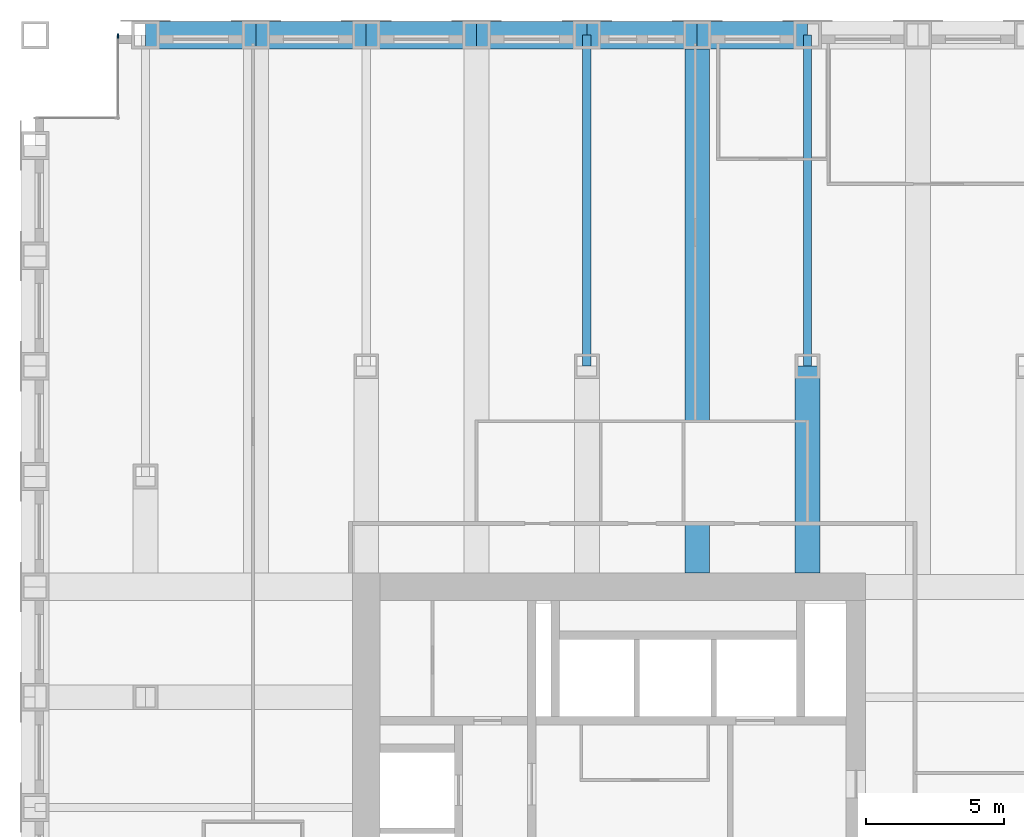
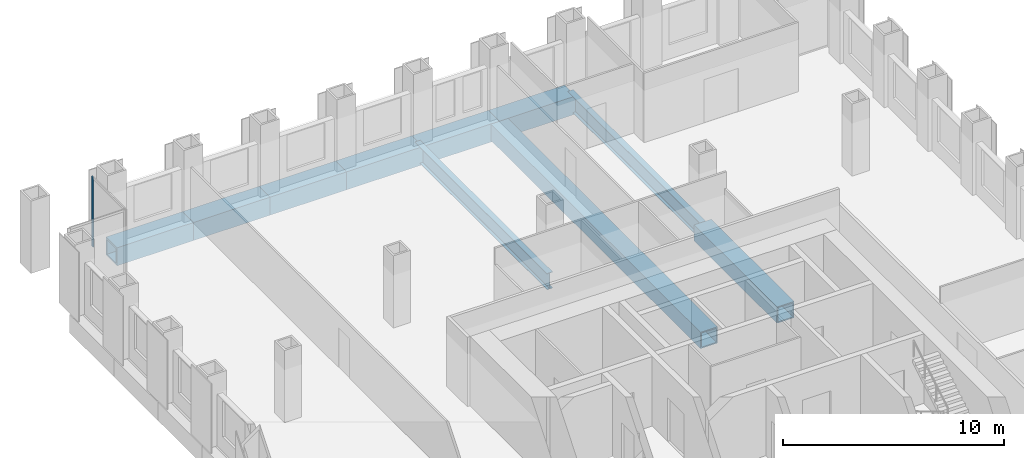
# One storey, part 6 of 13: 10 beams, 1 member, 1 element without a shape of its own.
"""IFC4 building model written with IfcOpenShell, lengths in metres."""

from ifc_helpers import new_model, si_unit, direction, frame, origin, origin_2d, place, context, subcontext, project, spatial, rectangle, hollow_rectangle, i_section, extrude, material, material_profile, profile_set, type_object, element, aggregate, save


model = new_model("IFC4")

# Units and contexts
model_context = context("Model", 3, precision=1e-05, world=origin(), true_north=direction((0.0, 1.0)))
body_context = subcontext(model_context, "Body", "Model", "MODEL_VIEW")
ifc_project = project(units=[si_unit("LENGTHUNIT", "METRE"), si_unit("AREAUNIT", "SQUARE_METRE"), si_unit("VOLUMEUNIT", "CUBIC_METRE"), si_unit("PLANEANGLEUNIT", "RADIAN"), si_unit("MASSUNIT", "GRAM", prefix="KILO")], contexts=[model_context])

# Site, building, storey
site_placement = place(None, origin())
site = spatial("IfcSite", under=ifc_project, at=site_placement, CompositionType="ELEMENT")
building_placement = place(site_placement, origin())
building = spatial("IfcBuilding", under=site, at=building_placement, Name="Rimbunsela Tower", CompositionType="ELEMENT")
storey_placement = place(building_placement, frame((0.0, 0.0, 191.800048828125)))
storey = spatial("IfcBuildingStorey", under=building, at=storey_placement, Name="L46", CompositionType="ELEMENT", Elevation=191.800048828125)

# Beams
ifc_material_1 = material(Name="Steel BJ 55 (fy 410 MPa)", Category="steel")
ifc_material_profile_1 = material_profile(ifc_material_1, hollow_rectangle(XDim=1.0, YDim=1.0, WallThickness=0.10009765625, at=origin_2d()), Name="BOX 1000x1000x100")
ifc_profile_set_1 = profile_set([ifc_material_profile_1], Name="Steel BJ 55 (fy 410 MPa)")
beam_type_1 = type_object("IfcBeamType", Name="Beam BOX 1000x1000x100", PredefinedType="BEAM", material=ifc_profile_set_1)
for number, where, z_axis, x_axis, name in (
    (1, (10.0, 56.0, -0.650146484375), (1.0, 0.0, 0.0), (0.0, 1.0, 0.0), "Beam B3 L46"),
    (2, (14.0, 56.0, -0.650146484375), (1.0, 0.0, 0.0), (0.0, 1.0, 0.0), "Beam B3 L46"),
    (3, (18.0, 56.0, -0.650146484375), (1.0, 0.0, 0.0), (0.0, 1.0, 0.0), "Beam B3 L46"),
    (4, (22.0, 56.0, -0.650146484375), (1.0, 0.0, 0.0), (0.0, 1.0, 0.0), "Beam B3 L46"),
    (5, (26.0, 56.0, -0.650146484375), (1.0, 0.0, 0.0), (0.0, 1.0, 0.0), "Beam B3 L46"),
    (6, (30.0, 56.0, -0.650146484375), (1.0, 0.0, 0.0), (0.0, 1.0, 0.0), "Beam B3 L46"),
):
    element("IfcBeam", number, at=place(storey_placement, frame(where, z_axis=z_axis, x_axis=x_axis)), inside=storey, type_object=beam_type_1, Name=name, PredefinedType="BEAM", context=body_context, shape_type="SweptSolid", body=[
        extrude(hollow_rectangle(XDim=1.0, YDim=1.0, WallThickness=0.10009765625, at=origin_2d()), origin(), (0.0, 0.0, 1.0), 4.0),
    ])
ifc_material_2 = material(Name="Steel BJ 55 (fy 410 MPa)", Category="steel")
ifc_material_profile_2 = material_profile(ifc_material_2, hollow_rectangle(XDim=0.89990234375, YDim=0.89990234375, WallThickness=0.06005859375, at=origin_2d()), Name="BOX 900x900x60")
ifc_profile_set_2 = profile_set([ifc_material_profile_2], Name="Steel BJ 55 (fy 410 MPa)")
beam_type_2 = type_object("IfcBeamType", Name="Beam BOX 900x900x60", PredefinedType="BEAM", material=ifc_profile_set_2)
beam_1_placement = place(storey_placement, frame((30.0, 36.5, -0.60009765625), z_axis=(0.0, 1.0, 0.0), x_axis=(-1.0, 0.0, 0.0)))
element("IfcBeam", 7, at=beam_1_placement, inside=storey, type_object=beam_type_2, Name="Beam B1 L46", PredefinedType="BEAM", context=body_context, shape_type="SweptSolid", body=[
    extrude(hollow_rectangle(XDim=0.89990234375, YDim=0.89990234375, WallThickness=0.06005859375, at=origin_2d()), origin(), (0.0, 0.0, 1.0), 19.5),
])
beam_2_placement = place(storey_placement, frame((34.0, 36.5, -0.60009765625), z_axis=(0.0, 1.0, 0.0), x_axis=(-1.0, 0.0, 0.0)))
element("IfcBeam", 8, at=beam_2_placement, inside=storey, type_object=beam_type_2, Name="Beam B1 L46", PredefinedType="BEAM", context=body_context, shape_type="SweptSolid", body=[
    extrude(hollow_rectangle(XDim=0.89990234375, YDim=0.89990234375, WallThickness=0.06005859375, at=origin_2d()), origin(), (0.0, 0.0, 1.0), 7.5),
])
ifc_material_3 = material(Name="Steel BJ 55 (fy 410 MPa)", Category="steel")
ifc_material_profile_3 = material_profile(ifc_material_3, i_section(OverallWidth=0.300048828125, OverallDepth=0.89990234375, WebThickness=0.01611328125, FlangeThickness=0.028076171875, FilletRadius=0.028076171875, at=origin_2d()), Name="H 900x300x16x28")
ifc_profile_set_3 = profile_set([ifc_material_profile_3], Name="Steel BJ 55 (fy 410 MPa)")
beam_type_3 = type_object("IfcBeamType", Name="Beam H 900x300x16x28", PredefinedType="BEAM", material=ifc_profile_set_3)
for number, where, z_axis, x_axis, name in (
    (9, (26.0, 44.0, -0.60009765625), (0.0, 1.0, 0.0), (-1.0, 0.0, 0.0), "Beam B2 L46"),
    (10, (34.0, 44.0, -0.60009765625), (0.0, 1.0, 0.0), (-1.0, 0.0, 0.0), "Beam B2 L46"),
):
    element("IfcBeam", number, at=place(storey_placement, frame(where, z_axis=z_axis, x_axis=x_axis)), inside=storey, type_object=beam_type_3, Name=name, PredefinedType="BEAM", context=body_context, shape_type="SweptSolid", body=[
        extrude(i_section(OverallWidth=0.300048828125, OverallDepth=0.89990234375, WebThickness=0.01611328125, FlangeThickness=0.028076171875, FilletRadius=0.028076171875, at=origin_2d()), origin(), (0.0, 0.0, 1.0), 12.0),
    ])

# Curtain wall, member
ifc_material_4 = material(Name="Aluminium curtain wall", Category="aluminium")
curtain_wall_type = type_object("IfcCurtainWallType", Name="Corner glazing", PredefinedType="USERDEFINED", material=ifc_material_4)
curtain_wall_placement = place(storey_placement, origin())
curtain_wall = element("IfcCurtainWall", 11, at=curtain_wall_placement, inside=storey, type_object=curtain_wall_type, Name="Corner glazing L46", ObjectType="CORNER GLAZING", PredefinedType="USERDEFINED")
ifc_material_5 = material(Name="Aluminium mullion", Category="aluminium")
ifc_material_profile_4 = material_profile(ifc_material_5, rectangle(XDim=0.06005859375, YDim=0.159912109375, at=origin_2d()), Name="Mullion 60x160")
ifc_profile_set_4 = profile_set([ifc_material_profile_4], Name="Aluminium mullion")
member_type = type_object("IfcMemberType", Name="Curtain wall mullion 60x160", PredefinedType="MULLION", material=ifc_profile_set_4)
member_placement = place(storey_placement, frame((9.0, 55.969970703125, 0.0), z_axis=(0.0, 0.0, 1.0), x_axis=(1.0, 0.0, 0.0)))
member = element("IfcMember", 12, at=member_placement, type_object=member_type, Name="CW5 mullion 1", PredefinedType="MULLION", context=body_context, shape_type="SweptSolid", body=[
    extrude(rectangle(XDim=0.06005859375, YDim=0.159912109375, at=origin_2d()), origin(), (0.0, 0.0, 1.0), 3.849853515625),
])
aggregate(curtain_wall, [member])

save(model, "model.ifc")
